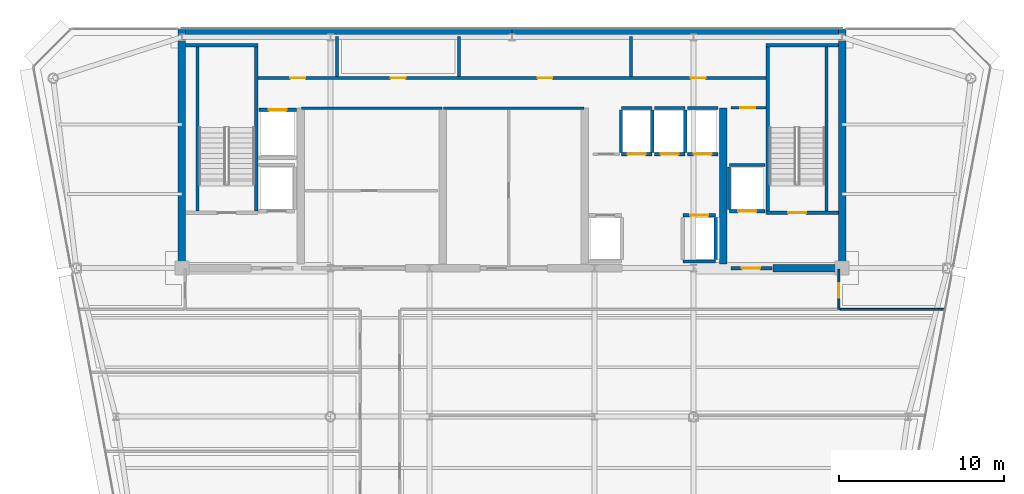
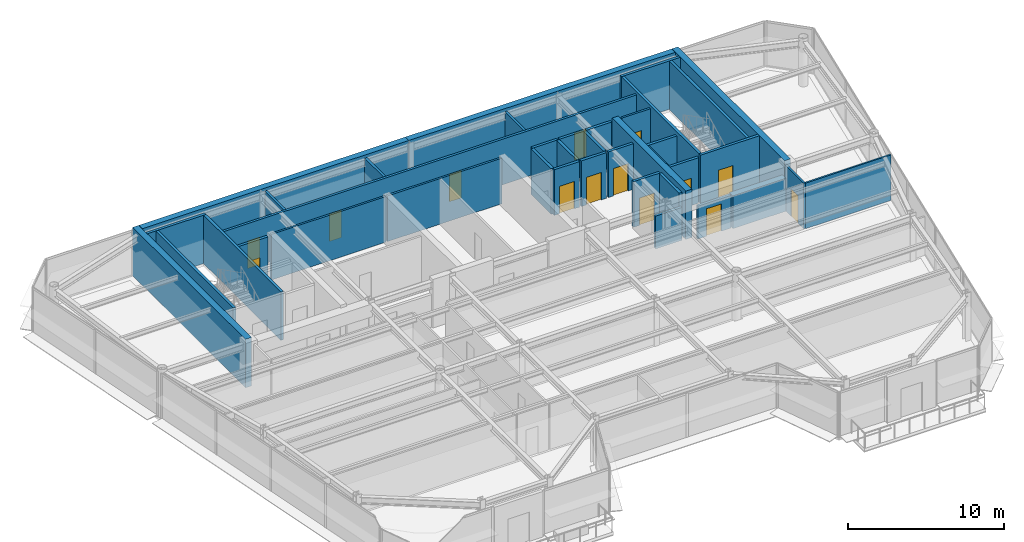
# One storey, part 12 of 20: 39 walls, 14 doors, 14 openings.
"""IFC4 building model written with IfcOpenShell, lengths in metres."""

from ifc_helpers import new_model, si_unit, direction, frame, frame_2d, origin, place, context, subcontext, project, spatial, rectangle, extrude, source, transform, mapped, material, layer, layer_set, type_object, element, fill, save


model = new_model("IFC4")

# Units and contexts
model_context = context("Model", 3, precision=1e-05, world=origin(), true_north=direction((0.0, 1.0)))
body_context = subcontext(model_context, "Body", "Model", "MODEL_VIEW")
ifc_project = project(units=[si_unit("LENGTHUNIT", "METRE"), si_unit("AREAUNIT", "SQUARE_METRE"), si_unit("VOLUMEUNIT", "CUBIC_METRE"), si_unit("PLANEANGLEUNIT", "RADIAN"), si_unit("MASSUNIT", "GRAM", prefix="KILO")], contexts=[model_context])

# Site, building, storey
site_placement = place(None, origin())
site = spatial("IfcSite", under=ifc_project, at=site_placement, CompositionType="ELEMENT")
building_placement = place(site_placement, origin())
building = spatial("IfcBuilding", under=site, at=building_placement, Name="Vaeldorn Concourse Tower", CompositionType="ELEMENT")
storey_placement = place(building_placement, frame((0.0, 0.0, 268.800048828125)))
storey = spatial("IfcBuildingStorey", under=building, at=storey_placement, Name="L69", CompositionType="ELEMENT", Elevation=268.800048828125)

# Walls
ifc_material_1 = material(Name="Concrete C50/60", Category="concrete")
ifc_layer_1 = layer(ifc_material_1, 0.449951171875)
ifc_layer_set_1 = layer_set([ifc_layer_1], Name="Concrete C50/60")
wall_type_1 = type_object("IfcWallType", Name="WL-CORE-450", PredefinedType="SHEAR", material=ifc_layer_set_1)
for number, where, z_axis, x_axis, name in (
    (1, (14.22900390625, 50.77490234375, 0.0), (0.0, 0.0, 1.0), (1.0, 0.0, 0.0), "Rear Core Shear Wall L69 N1"),
    (2, (34.001953125, 50.77490234375, 0.0), (0.0, 0.0, 1.0), (1.0, 0.0, 0.0), "Rear Core Shear Wall L69 N2"),
):
    element("IfcWall", number, at=place(storey_placement, frame(where, z_axis=z_axis, x_axis=x_axis)), inside=storey, type_object=wall_type_1, Name=name, PredefinedType="SHEAR", context=body_context, shape_type="SweptSolid", body=[
        extrude(rectangle(XDim=19.76904296875, YDim=0.449951171875, at=frame_2d((9.884521484375, 0.0))), origin(), (0.0, 0.0, 1.0), 3.800048828125),
    ])
for number, where, z_axis, x_axis, name in (
    (3, (14.0, 36.5, 0.0), (0.0, 0.0, 1.0), (0.0, 1.0, 0.0), "Rear Core Shear Wall L69 W1"),
    (4, (54.0, 36.5, 0.0), (0.0, 0.0, 1.0), (0.0, 1.0, 0.0), "Rear Core Shear Wall L69 E1"),
):
    element("IfcWall", number, at=place(storey_placement, frame(where, z_axis=z_axis, x_axis=x_axis)), inside=storey, type_object=wall_type_1, Name=name, PredefinedType="SHEAR", context=body_context, shape_type="SweptSolid", body=[
        extrude(rectangle(XDim=14.5, YDim=0.449951171875, at=frame_2d((7.25, 0.0))), origin(), (0.0, 0.0, 1.0), 3.800048828125),
    ])
wall_1_placement = place(storey_placement, frame((49.800048828125, 36.5, 0.0), z_axis=(0.0, 0.0, 1.0), x_axis=(1.0, 0.0, 0.0)))
element("IfcWall", 5, at=wall_1_placement, inside=storey, type_object=wall_type_1, Name="Rear Core Shear Wall L69 S4", PredefinedType="SHEAR", context=body_context, shape_type="SweptSolid", body=[
    extrude(rectangle(XDim=3.954833984375, YDim=0.449951171875, at=frame_2d((1.9775390625, 0.0))), origin(), (0.0, 0.0, 1.0), 2.579833984375),
])
wall_2_placement = place(storey_placement, frame((46.800048828125, 36.7451171875, 0.0), z_axis=(0.0, 0.0, 1.0), x_axis=(0.0, 1.0, 0.0)))
element("IfcWall", 6, at=wall_2_placement, inside=storey, type_object=wall_type_1, Name="Rear Core Shear Wall L69 M4", PredefinedType="SHEAR", context=body_context, shape_type="SweptSolid", body=[
    extrude(rectangle(XDim=9.454833984375, YDim=0.449951171875, at=frame_2d((4.7275390625, 0.0))), origin(), (0.0, 0.0, 1.0), 3.800048828125),
])

# Wall, opening, door
ifc_material_2 = material(Name="Gypsum Board Partition", Category="gypsum")
ifc_layer_2 = layer(ifc_material_2, 0.1201171875)
ifc_layer_set_2 = layer_set([ifc_layer_2], Name="Gypsum Board Partition")
wall_type_2 = type_object("IfcWallType", Name="WL-PART-120", PredefinedType="PARTITIONING", material=ifc_layer_set_2)
wall_3_placement = place(storey_placement, frame((53.800048828125, 34.0, 0.0), z_axis=(0.0, 0.0, 1.0), x_axis=(0.0, 1.0, 0.0)))
wall_3 = element("IfcWall", 7, at=wall_3_placement, inside=storey, type_object=wall_type_2, Name="Interior Wall PW-L69-C3E", PredefinedType="PARTITIONING", context=body_context, shape_type="SweptSolid", body=[
    extrude(rectangle(XDim=2.43994140625, YDim=0.1201171875, at=frame_2d((1.219970703125, 0.0))), origin(), (0.0, 0.0, 1.0), 3.579833984375),
])
opening_1_placement = place(wall_3_placement, frame((0.699951171875, 0.0, 0.0)))
opening_1 = element("IfcOpeningElement", 8, at=opening_1_placement, cuts=wall_3, Name="Opening D-03", PredefinedType="OPENING", context=body_context, shape_type="SweptSolid", body=[
    extrude(rectangle(XDim=0.89990234375, YDim=2.14990234375, at=frame_2d((0.449951171875, 1.074951171875))), frame((0.0, 0.070068359375, 0.0), z_axis=(0.0, -1.0, 0.0), x_axis=(1.0, 0.0, 0.0)), (0.0, 0.0, 1.0), 0.14013671875),
])
ifc_material_3 = material(Name="Acoustic Bronze-Framed Glass Door", Category="glass")
door_type_1 = type_object("IfcDoorType", Name="DR-INT-900", OperationType="NOTDEFINED", PredefinedType="DOOR", material=ifc_material_3)
shared_shape_1 = source(origin(), body_context, "Body", "SweptSolid", [
    extrude(rectangle(XDim=0.89990234375, YDim=2.14990234375, at=frame_2d((0.449951171875, 1.074951171875))), frame((0.0, 0.02490234375, 0.0), z_axis=(0.0, -1.0, 0.0), x_axis=(1.0, 0.0, 0.0)), (0.0, 0.0, 1.0), 0.050048828125),
])
door_1_placement = place(opening_1_placement, origin())
door_1 = element("IfcDoor", 9, at=door_1_placement, inside=storey, type_object=door_type_1, Name="Interior Door DR-L69-Z3NE", OperationType="SINGLE_SWING_RIGHT", OverallHeight=2.14990234375, OverallWidth=0.89990234375, PredefinedType="DOOR", context=body_context, shape_type="MappedRepresentation", body=[
    mapped(shared_shape_1, transform((0.0, 0.0, 0.0), scale=1.0)),
])
fill(opening_1, door_1)

# Walls
wall_4_placement = place(storey_placement, frame((53.860107421875, 34.0, 0.0), z_axis=(0.0, 0.0, 1.0), x_axis=(1.0, 0.0, 0.0)))
element("IfcWall", 10, at=wall_4_placement, inside=storey, type_object=wall_type_2, Name="Interior Wall PW-L69-Z3NEB", PredefinedType="PARTITIONING", context=body_context, shape_type="SweptSolid", body=[
    extrude(rectangle(XDim=6.34423828125, YDim=0.1201171875, at=frame_2d((3.172119140625, 0.0))), origin(), (0.0, 0.0, 1.0), 3.579833984375),
])
ifc_layer_3 = layer(ifc_material_2, 0.14990234375)
ifc_layer_set_3 = layer_set([ifc_layer_3], Name="Gypsum Board Partition")
wall_type_3 = type_object("IfcWallType", Name="WL-PART-150", PredefinedType="PARTITIONING", material=ifc_layer_set_3)
for number, where, z_axis, x_axis, name in (
    (11, (21.25, 46.199951171875, 0.0), (0.0, 0.0, 1.0), (1.0, 0.0, 0.0), "Interior Wall CW-L69-R1N"),
    (12, (29.85009765625, 46.199951171875, 0.0), (0.0, 0.0, 1.0), (1.0, 0.0, 0.0), "Interior Wall CW-L69-R2N"),
):
    element("IfcWall", number, at=place(storey_placement, frame(where, z_axis=z_axis, x_axis=x_axis)), inside=storey, type_object=wall_type_3, Name=name, PredefinedType="PARTITIONING", context=body_context, shape_type="SweptSolid", body=[
        extrude(rectangle(XDim=8.5, YDim=0.14990234375, at=frame_2d((4.25, 0.0))), origin(), (0.0, 0.0, 1.0), 3.579833984375),
    ])

# Wall, opening, door
wall_5_placement = place(storey_placement, frame((47.280029296875, 46.219970703125, 0.0), z_axis=(0.0, 0.0, 1.0), x_axis=(1.0, 0.0, 0.0)))
wall_5 = element("IfcWall", 13, at=wall_5_placement, inside=storey, type_object=wall_type_3, Name="Interior Wall CW-L69-CRSE-N", PredefinedType="PARTITIONING", context=body_context, shape_type="SweptSolid", body=[
    extrude(rectangle(XDim=2.099853515625, YDim=0.14990234375, at=frame_2d((1.0498046875, 0.0))), origin(), (0.0, 0.0, 1.0), 3.579833984375),
])
opening_2_placement = place(wall_5_placement, frame((0.550048828125, 0.0, 0.0)))
opening_2 = element("IfcOpeningElement", 14, at=opening_2_placement, cuts=wall_5, Name="Opening D-02", PredefinedType="OPENING", context=body_context, shape_type="SweptSolid", body=[
    extrude(rectangle(XDim=0.89990234375, YDim=2.10009765625, at=frame_2d((0.449951171875, 1.050048828125))), frame((0.0, 0.0849609375, 0.0), z_axis=(0.0, -1.0, 0.0), x_axis=(1.0, 0.0, 0.0)), (0.0, 0.0, 1.0), 0.169921875),
])
ifc_material_4 = material(Name="Fire-Rated Timber Leaf", Category="wood")
door_type_2 = type_object("IfcDoorType", Name="DR-FD30-900", OperationType="NOTDEFINED", PredefinedType="DOOR", material=ifc_material_4)
shared_shape_2 = source(origin(), body_context, "Body", "SweptSolid", [
    extrude(rectangle(XDim=0.89990234375, YDim=2.10009765625, at=frame_2d((0.449951171875, 1.050048828125))), frame((0.0, 0.02490234375, 0.0), z_axis=(0.0, -1.0, 0.0), x_axis=(1.0, 0.0, 0.0)), (0.0, 0.0, 1.0), 0.050048828125),
])
door_2_placement = place(opening_2_placement, origin())
door_2 = element("IfcDoor", 15, at=door_2_placement, inside=storey, type_object=door_type_2, Name="Interior Door DR-L69-CRSE", OperationType="SINGLE_SWING_RIGHT", OverallHeight=2.10009765625, OverallWidth=0.89990234375, PredefinedType="DOOR", context=body_context, shape_type="MappedRepresentation", body=[
    mapped(shared_shape_2, transform((0.0, 0.0, 0.0), scale=1.0)),
])
fill(opening_2, door_2)

# Wall, openings, doors
ifc_layer_4 = layer(ifc_material_2, 0.179931640625)
ifc_layer_set_4 = layer_set([ifc_layer_4], Name="Gypsum Board Partition")
wall_type_4 = type_object("IfcWallType", Name="WL-PLUMB-180", PredefinedType="PLUMBINGWALL", material=ifc_layer_set_4)
wall_6_placement = place(storey_placement, frame((18.6201171875, 48.02001953125, 0.0), z_axis=(0.0, 0.0, 1.0), x_axis=(1.0, 0.0, 0.0)))
wall_6 = element("IfcWall", 16, at=wall_6_placement, inside=storey, type_object=wall_type_4, Name="Interior Wall CW-L69-NS0", PredefinedType="PLUMBINGWALL", context=body_context, shape_type="SweptSolid", body=[
    extrude(rectangle(XDim=30.759765625, YDim=0.179931640625, at=frame_2d((15.3798828125, 0.0))), origin(), (0.0, 0.0, 1.0), 3.579833984375),
])
opening_3_placement = place(wall_6_placement, frame((1.955078125, 0.0, 0.0)))
opening_3 = element("IfcOpeningElement", 17, at=opening_3_placement, cuts=wall_6, Name="Opening D-03", PredefinedType="OPENING", context=body_context, shape_type="SweptSolid", body=[
    extrude(rectangle(XDim=0.89990234375, YDim=2.14990234375, at=frame_2d((0.449951171875, 1.074951171875))), frame((0.0, 0.10009765625, 0.0), z_axis=(0.0, -1.0, 0.0), x_axis=(1.0, 0.0, 0.0)), (0.0, 0.0, 1.0), 0.199951171875),
])
opening_4_placement = place(wall_6_placement, frame((8.030029296875, 0.0, 0.0)))
opening_4 = element("IfcOpeningElement", 18, at=opening_4_placement, cuts=wall_6, Name="Opening D-03", PredefinedType="OPENING", context=body_context, shape_type="SweptSolid", body=[
    extrude(rectangle(XDim=0.89990234375, YDim=2.14990234375, at=frame_2d((0.449951171875, 1.074951171875))), frame((0.0, 0.10009765625, 0.0), z_axis=(0.0, -1.0, 0.0), x_axis=(1.0, 0.0, 0.0)), (0.0, 0.0, 1.0), 0.199951171875),
])
opening_5_placement = place(wall_6_placement, frame((16.929931640625, 0.0, 0.0)))
opening_5 = element("IfcOpeningElement", 19, at=opening_5_placement, cuts=wall_6, Name="Opening D-03", PredefinedType="OPENING", context=body_context, shape_type="SweptSolid", body=[
    extrude(rectangle(XDim=0.89990234375, YDim=2.14990234375, at=frame_2d((0.449951171875, 1.074951171875))), frame((0.0, 0.10009765625, 0.0), z_axis=(0.0, -1.0, 0.0), x_axis=(1.0, 0.0, 0.0)), (0.0, 0.0, 1.0), 0.199951171875),
])
opening_6_placement = place(wall_6_placement, frame((26.205078125, 0.0, 0.0)))
opening_6 = element("IfcOpeningElement", 20, at=opening_6_placement, cuts=wall_6, Name="Opening D-03", PredefinedType="OPENING", context=body_context, shape_type="SweptSolid", body=[
    extrude(rectangle(XDim=0.89990234375, YDim=2.14990234375, at=frame_2d((0.449951171875, 1.074951171875))), frame((0.0, 0.10009765625, 0.0), z_axis=(0.0, -1.0, 0.0), x_axis=(1.0, 0.0, 0.0)), (0.0, 0.0, 1.0), 0.199951171875),
])
door_3_placement = place(opening_3_placement, origin())
door_3 = element("IfcDoor", 21, at=door_3_placement, inside=storey, type_object=door_type_1, Name="Interior Door DR-L69-CS1", OperationType="SINGLE_SWING_LEFT", OverallHeight=2.14990234375, OverallWidth=0.89990234375, PredefinedType="DOOR", context=body_context, shape_type="MappedRepresentation", body=[
    mapped(shared_shape_1, transform((0.0, 0.0, 0.0), scale=1.0)),
])
fill(opening_3, door_3)
door_4_placement = place(opening_4_placement, origin())
door_4 = element("IfcDoor", 22, at=door_4_placement, inside=storey, type_object=door_type_1, Name="Interior Door DR-L69-CS2", OperationType="SINGLE_SWING_RIGHT", OverallHeight=2.14990234375, OverallWidth=0.89990234375, PredefinedType="DOOR", context=body_context, shape_type="MappedRepresentation", body=[
    mapped(shared_shape_1, transform((0.0, 0.0, 0.0), scale=1.0)),
])
fill(opening_4, door_4)
door_5_placement = place(opening_5_placement, origin())
door_5 = element("IfcDoor", 23, at=door_5_placement, inside=storey, type_object=door_type_1, Name="Interior Door DR-L69-CS3", OperationType="SINGLE_SWING_LEFT", OverallHeight=2.14990234375, OverallWidth=0.89990234375, PredefinedType="DOOR", context=body_context, shape_type="MappedRepresentation", body=[
    mapped(shared_shape_1, transform((0.0, 0.0, 0.0), scale=1.0)),
])
fill(opening_5, door_5)
door_6_placement = place(opening_6_placement, origin())
door_6 = element("IfcDoor", 24, at=door_6_placement, inside=storey, type_object=door_type_1, Name="Interior Door DR-L69-CS4", OperationType="SINGLE_SWING_RIGHT", OverallHeight=2.14990234375, OverallWidth=0.89990234375, PredefinedType="DOOR", context=body_context, shape_type="MappedRepresentation", body=[
    mapped(shared_shape_1, transform((0.0, 0.0, 0.0), scale=1.0)),
])
fill(opening_6, door_6)

# Walls
for number, where, z_axis, x_axis, name in (
    (25, (23.39990234375, 48.10009765625, 0.0), (0.0, 0.0, 1.0), (0.0, 1.0, 0.0), "Interior Wall CW-L69-NDIV1"),
    (26, (30.800048828125, 48.10009765625, 0.0), (0.0, 0.0, 1.0), (0.0, 1.0, 0.0), "Interior Wall CW-L69-NDIV2"),
    (27, (41.199951171875, 48.10009765625, 0.0), (0.0, 0.0, 1.0), (0.0, 1.0, 0.0), "Interior Wall CW-L69-NDIV3"),
):
    element("IfcWall", number, at=place(storey_placement, frame(where, z_axis=z_axis, x_axis=x_axis)), inside=storey, type_object=wall_type_4, Name=name, PredefinedType="PLUMBINGWALL", context=body_context, shape_type="SweptSolid", body=[
        extrude(rectangle(XDim=2.429931640625, YDim=0.179931640625, at=frame_2d((1.21484375, 0.0))), origin(), (0.0, 0.0, 1.0), 3.579833984375),
    ])
ifc_layer_5 = layer(ifc_material_1, 0.199951171875)
ifc_layer_set_5 = layer_set([ifc_layer_5], Name="Concrete C50/60")
wall_type_5 = type_object("IfcWallType", Name="WL-SHAFT-200", PredefinedType="SOLIDWALL", material=ifc_layer_set_5)
wall_7_placement = place(storey_placement, frame((14.22509765625, 50.0, 0.0), z_axis=(0.0, 0.0, 1.0), x_axis=(1.0, 0.0, 0.0)))
element("IfcWall", 28, at=wall_7_placement, inside=storey, type_object=wall_type_5, Name="Stair Shaft Wall CW-L69-ST-1-N", PredefinedType="SOLIDWALL", context=body_context, shape_type="SweptSolid", body=[
    extrude(rectangle(XDim=4.375, YDim=0.199951171875, at=frame_2d((2.1875, 0.0))), origin(), (0.0, 0.0, 1.0), 3.800048828125),
])
for number, where, z_axis, x_axis, name in (
    (29, (14.949951171875, 39.9599609375, 0.0), (0.0, 0.0, 1.0), (0.0, 1.0, 0.0), "Stair Shaft Wall CW-L69-ST-1-W"),
    (30, (18.5, 39.9599609375, 0.0), (0.0, 0.0, 1.0), (0.0, 1.0, 0.0), "Stair Shaft Wall CW-L69-ST-1-E"),
):
    element("IfcWall", number, at=place(storey_placement, frame(where, z_axis=z_axis, x_axis=x_axis)), inside=storey, type_object=wall_type_5, Name=name, PredefinedType="SOLIDWALL", context=body_context, shape_type="SweptSolid", body=[
        extrude(rectangle(XDim=9.929931640625, YDim=0.199951171875, at=frame_2d((4.96484375, 0.0))), origin(), (0.0, 0.0, 1.0), 3.800048828125),
    ])

# Wall, opening, door
wall_8_placement = place(storey_placement, frame((49.39990234375, 39.85009765625, 0.0), z_axis=(0.0, 0.0, 1.0), x_axis=(1.0, 0.0, 0.0)))
wall_8 = element("IfcWall", 31, at=wall_8_placement, inside=storey, type_object=wall_type_5, Name="Stair Shaft Wall CW-L69-ST-2-S", PredefinedType="SOLIDWALL", context=body_context, shape_type="SweptSolid", body=[
    extrude(rectangle(XDim=4.375, YDim=0.199951171875, at=frame_2d((2.1875, 0.0))), origin(), (0.0, 0.0, 1.0), 3.800048828125),
])
opening_7_placement = place(wall_8_placement, frame((1.324951171875, 0.0, 0.0)))
opening_7 = element("IfcOpeningElement", 32, at=opening_7_placement, cuts=wall_8, Name="Opening D-01", PredefinedType="OPENING", context=body_context, shape_type="SweptSolid", body=[
    extrude(rectangle(XDim=1.10009765625, YDim=2.14990234375, at=frame_2d((0.550048828125, 1.074951171875))), frame((0.0, 0.10986328125, 0.0), z_axis=(0.0, -1.0, 0.0), x_axis=(1.0, 0.0, 0.0)), (0.0, 0.0, 1.0), 0.219970703125),
])
ifc_material_5 = material(Name="Fire-Rated Timber and Steel Leaf", Category="steel")
door_type_3 = type_object("IfcDoorType", Name="DR-FD60-1100", OperationType="NOTDEFINED", PredefinedType="DOOR", material=ifc_material_5)
shared_shape_3 = source(origin(), body_context, "Body", "SweptSolid", [
    extrude(rectangle(XDim=1.10009765625, YDim=2.14990234375, at=frame_2d((0.550048828125, 1.074951171875))), frame((0.0, 0.02490234375, 0.0), z_axis=(0.0, -1.0, 0.0), x_axis=(1.0, 0.0, 0.0)), (0.0, 0.0, 1.0), 0.050048828125),
])
door_7_placement = place(opening_7_placement, origin())
door_7 = element("IfcDoor", 33, at=door_7_placement, inside=storey, type_object=door_type_3, Name="Interior Door DR-L69-ST-2", OperationType="SINGLE_SWING_RIGHT", OverallHeight=2.14990234375, OverallWidth=1.10009765625, PredefinedType="DOOR", context=body_context, shape_type="MappedRepresentation", body=[
    mapped(shared_shape_3, transform((0.0, 0.0, 0.0), scale=1.0)),
])
fill(opening_7, door_7)

# Walls
wall_9_placement = place(storey_placement, frame((49.39990234375, 50.0, 0.0), z_axis=(0.0, 0.0, 1.0), x_axis=(1.0, 0.0, 0.0)))
element("IfcWall", 34, at=wall_9_placement, inside=storey, type_object=wall_type_5, Name="Stair Shaft Wall CW-L69-ST-2-N", PredefinedType="SOLIDWALL", context=body_context, shape_type="SweptSolid", body=[
    extrude(rectangle(XDim=4.375, YDim=0.199951171875, at=frame_2d((2.1875, 0.0))), origin(), (0.0, 0.0, 1.0), 3.800048828125),
])
for number, where, z_axis, x_axis, name in (
    (35, (49.5, 39.9599609375, 0.0), (0.0, 0.0, 1.0), (0.0, 1.0, 0.0), "Stair Shaft Wall CW-L69-ST-2-W"),
    (36, (53.050048828125, 39.9599609375, 0.0), (0.0, 0.0, 1.0), (0.0, 1.0, 0.0), "Stair Shaft Wall CW-L69-ST-2-E"),
):
    element("IfcWall", number, at=place(storey_placement, frame(where, z_axis=z_axis, x_axis=x_axis)), inside=storey, type_object=wall_type_5, Name=name, PredefinedType="SOLIDWALL", context=body_context, shape_type="SweptSolid", body=[
        extrude(rectangle(XDim=9.929931640625, YDim=0.199951171875, at=frame_2d((4.96484375, 0.0))), origin(), (0.0, 0.0, 1.0), 3.800048828125),
    ])

# Wall, opening, door
wall_10_placement = place(storey_placement, frame((47.280029296875, 36.5, 0.0), z_axis=(0.0, 0.0, 1.0), x_axis=(1.0, 0.0, 0.0)))
wall_10 = element("IfcWall", 37, at=wall_10_placement, inside=storey, type_object=wall_type_5, Name="Interior Wall CW-L69-FF2S", PredefinedType="SOLIDWALL", context=body_context, shape_type="SweptSolid", body=[
    extrude(rectangle(XDim=2.469970703125, YDim=0.199951171875, at=frame_2d((1.23486328125, 0.0))), origin(), (0.0, 0.0, 1.0), 2.570068359375),
])
opening_8_placement = place(wall_10_placement, frame((0.64990234375, 0.0, 0.0)))
opening_8 = element("IfcOpeningElement", 38, at=opening_8_placement, cuts=wall_10, Name="Opening D-01", PredefinedType="OPENING", context=body_context, shape_type="SweptSolid", body=[
    extrude(rectangle(XDim=1.10009765625, YDim=2.14990234375, at=frame_2d((0.550048828125, 1.074951171875))), frame((0.0, 0.10986328125, 0.0), z_axis=(0.0, -1.0, 0.0), x_axis=(1.0, 0.0, 0.0)), (0.0, 0.0, 1.0), 0.219970703125),
])
door_8_placement = place(opening_8_placement, origin())
door_8 = element("IfcDoor", 39, at=door_8_placement, inside=storey, type_object=door_type_3, Name="Interior Door DR-L69-FF2W", OperationType="SINGLE_SWING_LEFT", OverallHeight=2.14990234375, OverallWidth=1.10009765625, PredefinedType="DOOR", context=body_context, shape_type="MappedRepresentation", body=[
    mapped(shared_shape_3, transform((0.0, 0.0, 0.0), scale=1.0)),
])
fill(opening_8, door_8)

wall_11_placement = place(storey_placement, frame((44.3701171875, 39.699951171875, 0.0), z_axis=(0.0, 0.0, 1.0), x_axis=(1.0, 0.0, 0.0)))
wall_11 = element("IfcWall", 40, at=wall_11_placement, inside=storey, type_object=wall_type_5, Name="Interior Wall CW-L69-LF-LF-14", PredefinedType="SOLIDWALL", context=body_context, shape_type="SweptSolid", body=[
    extrude(rectangle(XDim=1.9599609375, YDim=0.199951171875, at=frame_2d((0.97998046875, 0.0))), origin(), (0.0, 0.0, 1.0), 3.579833984375),
])
opening_9_placement = place(wall_11_placement, frame((0.429931640625, 0.0, 0.0)))
opening_9 = element("IfcOpeningElement", 41, at=opening_9_placement, cuts=wall_11, Name="Opening LD-1", PredefinedType="OPENING", context=body_context, shape_type="SweptSolid", body=[
    extrude(rectangle(XDim=1.10009765625, YDim=2.14990234375, at=frame_2d((0.550048828125, 1.074951171875))), frame((0.0, 0.10986328125, 0.0), z_axis=(0.0, -1.0, 0.0), x_axis=(1.0, 0.0, 0.0)), (0.0, 0.0, 1.0), 0.219970703125),
])
ifc_material_6 = material(Name="Anodised Bronze Aluminium", Category="aluminium")
door_type_4 = type_object("IfcDoorType", Name="DR-LIFT-SLIDE-1100", OperationType="DOUBLE_DOOR_SLIDING", PredefinedType="DOOR", material=ifc_material_6)
door_9_placement = place(opening_9_placement, origin())
door_9 = element("IfcDoor", 42, at=door_9_placement, inside=storey, type_object=door_type_4, Name="Lift Landing Door LD-L69-LF-14", OperationType="DOUBLE_DOOR_SLIDING", OverallHeight=2.14990234375, OverallWidth=1.10009765625, PredefinedType="DOOR", context=body_context, shape_type="MappedRepresentation", body=[
    mapped(shared_shape_3, transform((0.0, 0.0, 0.0), scale=1.0)),
])
fill(opening_9, door_9)

# Walls
wall_12_placement = place(storey_placement, frame((44.3701171875, 36.89990234375, 0.0), z_axis=(0.0, 0.0, 1.0), x_axis=(1.0, 0.0, 0.0)))
element("IfcWall", 43, at=wall_12_placement, inside=storey, type_object=wall_type_5, Name="Interior Wall CW-L69-LFB-LF-14", PredefinedType="SOLIDWALL", context=body_context, shape_type="SweptSolid", body=[
    extrude(rectangle(XDim=1.9599609375, YDim=0.199951171875, at=frame_2d((0.97998046875, 0.0))), origin(), (0.0, 0.0, 1.0), 2.570068359375),
])
wall_13_placement = place(storey_placement, frame((46.35009765625, 37.02001953125, 0.0), z_axis=(0.0, 0.0, 1.0), x_axis=(0.0, 1.0, 0.0)))
element("IfcWall", 44, at=wall_13_placement, inside=storey, type_object=wall_type_5, Name="Interior Wall CW-L69-LFE-LF-14", PredefinedType="SOLIDWALL", context=body_context, shape_type="SweptSolid", body=[
    extrude(rectangle(XDim=2.56005859375, YDim=0.199951171875, at=frame_2d((1.280029296875, 0.0))), origin(), (0.0, 0.0, 1.0), 3.579833984375),
])

# Wall, opening, door
wall_14_placement = place(storey_placement, frame((40.6201171875, 43.39990234375, 0.0), z_axis=(0.0, 0.0, 1.0), x_axis=(1.0, 0.0, 0.0)))
wall_14 = element("IfcWall", 45, at=wall_14_placement, inside=storey, type_object=wall_type_5, Name="Interior Wall CW-L69-LF-LF-15", PredefinedType="SOLIDWALL", context=body_context, shape_type="SweptSolid", body=[
    extrude(rectangle(XDim=1.85986328125, YDim=0.199951171875, at=frame_2d((0.929931640625, 0.0))), origin(), (0.0, 0.0, 1.0), 3.579833984375),
])
opening_10_placement = place(wall_14_placement, frame((0.3798828125, 0.0, 0.0)))
opening_10 = element("IfcOpeningElement", 46, at=opening_10_placement, cuts=wall_14, Name="Opening LD-1", PredefinedType="OPENING", context=body_context, shape_type="SweptSolid", body=[
    extrude(rectangle(XDim=1.10009765625, YDim=2.14990234375, at=frame_2d((0.550048828125, 1.074951171875))), frame((0.0, 0.10986328125, 0.0), z_axis=(0.0, -1.0, 0.0), x_axis=(1.0, 0.0, 0.0)), (0.0, 0.0, 1.0), 0.219970703125),
])
door_10_placement = place(opening_10_placement, origin())
door_10 = element("IfcDoor", 47, at=door_10_placement, inside=storey, type_object=door_type_4, Name="Lift Landing Door LD-L69-LF-15", OperationType="DOUBLE_DOOR_SLIDING", OverallHeight=2.14990234375, OverallWidth=1.10009765625, PredefinedType="DOOR", context=body_context, shape_type="MappedRepresentation", body=[
    mapped(shared_shape_3, transform((0.0, 0.0, 0.0), scale=1.0)),
])
fill(opening_10, door_10)

# Walls
wall_15_placement = place(storey_placement, frame((40.6201171875, 46.199951171875, 0.0), z_axis=(0.0, 0.0, 1.0), x_axis=(1.0, 0.0, 0.0)))
element("IfcWall", 48, at=wall_15_placement, inside=storey, type_object=wall_type_5, Name="Interior Wall CW-L69-LFB-LF-15", PredefinedType="SOLIDWALL", context=body_context, shape_type="SweptSolid", body=[
    extrude(rectangle(XDim=1.85986328125, YDim=0.199951171875, at=frame_2d((0.929931640625, 0.0))), origin(), (0.0, 0.0, 1.0), 3.579833984375),
])
for number, where, z_axis, x_axis, name in (
    (49, (40.60009765625, 43.52001953125, 0.0), (0.0, 0.0, 1.0), (0.0, 1.0, 0.0), "Interior Wall CW-L69-LFW-LF-15"),
    (50, (42.5, 43.52001953125, 0.0), (0.0, 0.0, 1.0), (0.0, 1.0, 0.0), "Interior Wall CW-L69-LFE-LF-15"),
):
    element("IfcWall", number, at=place(storey_placement, frame(where, z_axis=z_axis, x_axis=x_axis)), inside=storey, type_object=wall_type_5, Name=name, PredefinedType="SOLIDWALL", context=body_context, shape_type="SweptSolid", body=[
        extrude(rectangle(XDim=2.56005859375, YDim=0.199951171875, at=frame_2d((1.280029296875, 0.0))), origin(), (0.0, 0.0, 1.0), 3.579833984375),
    ])

# Wall, opening, door
wall_16_placement = place(storey_placement, frame((42.6201171875, 43.39990234375, 0.0), z_axis=(0.0, 0.0, 1.0), x_axis=(1.0, 0.0, 0.0)))
wall_16 = element("IfcWall", 51, at=wall_16_placement, inside=storey, type_object=wall_type_5, Name="Interior Wall CW-L69-LF-LF-16", PredefinedType="SOLIDWALL", context=body_context, shape_type="SweptSolid", body=[
    extrude(rectangle(XDim=1.85986328125, YDim=0.199951171875, at=frame_2d((0.929931640625, 0.0))), origin(), (0.0, 0.0, 1.0), 3.579833984375),
])
opening_11_placement = place(wall_16_placement, frame((0.3798828125, 0.0, 0.0)))
opening_11 = element("IfcOpeningElement", 52, at=opening_11_placement, cuts=wall_16, Name="Opening LD-1", PredefinedType="OPENING", context=body_context, shape_type="SweptSolid", body=[
    extrude(rectangle(XDim=1.10009765625, YDim=2.14990234375, at=frame_2d((0.550048828125, 1.074951171875))), frame((0.0, 0.10986328125, 0.0), z_axis=(0.0, -1.0, 0.0), x_axis=(1.0, 0.0, 0.0)), (0.0, 0.0, 1.0), 0.219970703125),
])
door_11_placement = place(opening_11_placement, origin())
door_11 = element("IfcDoor", 53, at=door_11_placement, inside=storey, type_object=door_type_4, Name="Lift Landing Door LD-L69-LF-16", OperationType="DOUBLE_DOOR_SLIDING", OverallHeight=2.14990234375, OverallWidth=1.10009765625, PredefinedType="DOOR", context=body_context, shape_type="MappedRepresentation", body=[
    mapped(shared_shape_3, transform((0.0, 0.0, 0.0), scale=1.0)),
])
fill(opening_11, door_11)

# Walls
wall_17_placement = place(storey_placement, frame((42.6201171875, 46.199951171875, 0.0), z_axis=(0.0, 0.0, 1.0), x_axis=(1.0, 0.0, 0.0)))
element("IfcWall", 54, at=wall_17_placement, inside=storey, type_object=wall_type_5, Name="Interior Wall CW-L69-LFB-LF-16", PredefinedType="SOLIDWALL", context=body_context, shape_type="SweptSolid", body=[
    extrude(rectangle(XDim=1.85986328125, YDim=0.199951171875, at=frame_2d((0.929931640625, 0.0))), origin(), (0.0, 0.0, 1.0), 3.579833984375),
])
wall_18_placement = place(storey_placement, frame((44.5, 43.52001953125, 0.0), z_axis=(0.0, 0.0, 1.0), x_axis=(0.0, 1.0, 0.0)))
element("IfcWall", 55, at=wall_18_placement, inside=storey, type_object=wall_type_5, Name="Interior Wall CW-L69-LFE-LF-16", PredefinedType="SOLIDWALL", context=body_context, shape_type="SweptSolid", body=[
    extrude(rectangle(XDim=2.56005859375, YDim=0.199951171875, at=frame_2d((1.280029296875, 0.0))), origin(), (0.0, 0.0, 1.0), 3.579833984375),
])

# Wall, opening, door
wall_19_placement = place(storey_placement, frame((44.6201171875, 43.39990234375, 0.0), z_axis=(0.0, 0.0, 1.0), x_axis=(1.0, 0.0, 0.0)))
wall_19 = element("IfcWall", 56, at=wall_19_placement, inside=storey, type_object=wall_type_5, Name="Interior Wall CW-L69-LF-LF-17", PredefinedType="SOLIDWALL", context=body_context, shape_type="SweptSolid", body=[
    extrude(rectangle(XDim=1.85986328125, YDim=0.199951171875, at=frame_2d((0.929931640625, 0.0))), origin(), (0.0, 0.0, 1.0), 3.579833984375),
])
opening_12_placement = place(wall_19_placement, frame((0.3798828125, 0.0, 0.0)))
opening_12 = element("IfcOpeningElement", 57, at=opening_12_placement, cuts=wall_19, Name="Opening LD-1", PredefinedType="OPENING", context=body_context, shape_type="SweptSolid", body=[
    extrude(rectangle(XDim=1.10009765625, YDim=2.14990234375, at=frame_2d((0.550048828125, 1.074951171875))), frame((0.0, 0.10986328125, 0.0), z_axis=(0.0, -1.0, 0.0), x_axis=(1.0, 0.0, 0.0)), (0.0, 0.0, 1.0), 0.219970703125),
])
door_12_placement = place(opening_12_placement, origin())
door_12 = element("IfcDoor", 58, at=door_12_placement, inside=storey, type_object=door_type_4, Name="Lift Landing Door LD-L69-LF-17", OperationType="DOUBLE_DOOR_SLIDING", OverallHeight=2.14990234375, OverallWidth=1.10009765625, PredefinedType="DOOR", context=body_context, shape_type="MappedRepresentation", body=[
    mapped(shared_shape_3, transform((0.0, 0.0, 0.0), scale=1.0)),
])
fill(opening_12, door_12)

# Wall
wall_20_placement = place(storey_placement, frame((44.6201171875, 46.199951171875, 0.0), z_axis=(0.0, 0.0, 1.0), x_axis=(1.0, 0.0, 0.0)))
element("IfcWall", 59, at=wall_20_placement, inside=storey, type_object=wall_type_5, Name="Interior Wall CW-L69-LFB-LF-17", PredefinedType="SOLIDWALL", context=body_context, shape_type="SweptSolid", body=[
    extrude(rectangle(XDim=1.85986328125, YDim=0.199951171875, at=frame_2d((0.929931640625, 0.0))), origin(), (0.0, 0.0, 1.0), 3.579833984375),
])

# Wall, opening, door
wall_21_placement = place(storey_placement, frame((18.669921875, 46.10009765625, 0.0), z_axis=(0.0, 0.0, 1.0), x_axis=(1.0, 0.0, 0.0)))
wall_21 = element("IfcWall", 60, at=wall_21_placement, inside=storey, type_object=wall_type_5, Name="Interior Wall CW-L69-LF-LF-SV1", PredefinedType="SOLIDWALL", context=body_context, shape_type="SweptSolid", body=[
    extrude(rectangle(XDim=2.260009765625, YDim=0.199951171875, at=frame_2d((1.1298828125, 0.0))), origin(), (0.0, 0.0, 1.0), 3.579833984375),
])
opening_13_placement = place(wall_21_placement, frame((0.580078125, 0.0, 0.0)))
opening_13 = element("IfcOpeningElement", 61, at=opening_13_placement, cuts=wall_21, Name="Opening LD-1", PredefinedType="OPENING", context=body_context, shape_type="SweptSolid", body=[
    extrude(rectangle(XDim=1.10009765625, YDim=2.14990234375, at=frame_2d((0.550048828125, 1.074951171875))), frame((0.0, 0.10986328125, 0.0), z_axis=(0.0, -1.0, 0.0), x_axis=(1.0, 0.0, 0.0)), (0.0, 0.0, 1.0), 0.219970703125),
])
door_13_placement = place(opening_13_placement, origin())
door_13 = element("IfcDoor", 62, at=door_13_placement, inside=storey, type_object=door_type_4, Name="Lift Landing Door LD-L69-LF-SV1", OperationType="DOUBLE_DOOR_SLIDING", OverallHeight=2.14990234375, OverallWidth=1.10009765625, PredefinedType="DOOR", context=body_context, shape_type="MappedRepresentation", body=[
    mapped(shared_shape_3, transform((0.0, 0.0, 0.0), scale=1.0)),
])
fill(opening_13, door_13)

wall_22_placement = place(storey_placement, frame((47.169921875, 39.949951171875, 0.0), z_axis=(0.0, 0.0, 1.0), x_axis=(1.0, 0.0, 0.0)))
wall_22 = element("IfcWall", 63, at=wall_22_placement, inside=storey, type_object=wall_type_5, Name="Interior Wall CW-L69-LF-LF-FF2", PredefinedType="SOLIDWALL", context=body_context, shape_type="SweptSolid", body=[
    extrude(rectangle(XDim=2.16015625, YDim=0.199951171875, at=frame_2d((1.080078125, 0.0))), origin(), (0.0, 0.0, 1.0), 3.579833984375),
])
opening_14_placement = place(wall_22_placement, frame((0.530029296875, 0.0, 0.0)))
opening_14 = element("IfcOpeningElement", 64, at=opening_14_placement, cuts=wall_22, Name="Opening LD-1", PredefinedType="OPENING", context=body_context, shape_type="SweptSolid", body=[
    extrude(rectangle(XDim=1.10009765625, YDim=2.14990234375, at=frame_2d((0.550048828125, 1.074951171875))), frame((0.0, 0.10986328125, 0.0), z_axis=(0.0, -1.0, 0.0), x_axis=(1.0, 0.0, 0.0)), (0.0, 0.0, 1.0), 0.219970703125),
])
door_14_placement = place(opening_14_placement, origin())
door_14 = element("IfcDoor", 65, at=door_14_placement, inside=storey, type_object=door_type_4, Name="Lift Landing Door LD-L69-LF-FF2", OperationType="DOUBLE_DOOR_SLIDING", OverallHeight=2.14990234375, OverallWidth=1.10009765625, PredefinedType="DOOR", context=body_context, shape_type="MappedRepresentation", body=[
    mapped(shared_shape_3, transform((0.0, 0.0, 0.0), scale=1.0)),
])
fill(opening_14, door_14)

# Walls
wall_23_placement = place(storey_placement, frame((47.169921875, 42.75, 0.0), z_axis=(0.0, 0.0, 1.0), x_axis=(1.0, 0.0, 0.0)))
element("IfcWall", 66, at=wall_23_placement, inside=storey, type_object=wall_type_5, Name="Interior Wall CW-L69-LFB-LF-FF2", PredefinedType="SOLIDWALL", context=body_context, shape_type="SweptSolid", body=[
    extrude(rectangle(XDim=2.16015625, YDim=0.199951171875, at=frame_2d((1.080078125, 0.0))), origin(), (0.0, 0.0, 1.0), 3.579833984375),
])
wall_24_placement = place(storey_placement, frame((47.14990234375, 40.070068359375, 0.0), z_axis=(0.0, 0.0, 1.0), x_axis=(0.0, 1.0, 0.0)))
element("IfcWall", 67, at=wall_24_placement, inside=storey, type_object=wall_type_5, Name="Interior Wall CW-L69-LFW-LF-FF2", PredefinedType="SOLIDWALL", context=body_context, shape_type="SweptSolid", body=[
    extrude(rectangle(XDim=2.559814453125, YDim=0.199951171875, at=frame_2d((1.27978515625, 0.0))), origin(), (0.0, 0.0, 1.0), 3.579833984375),
])

save(model, "model.ifc")
